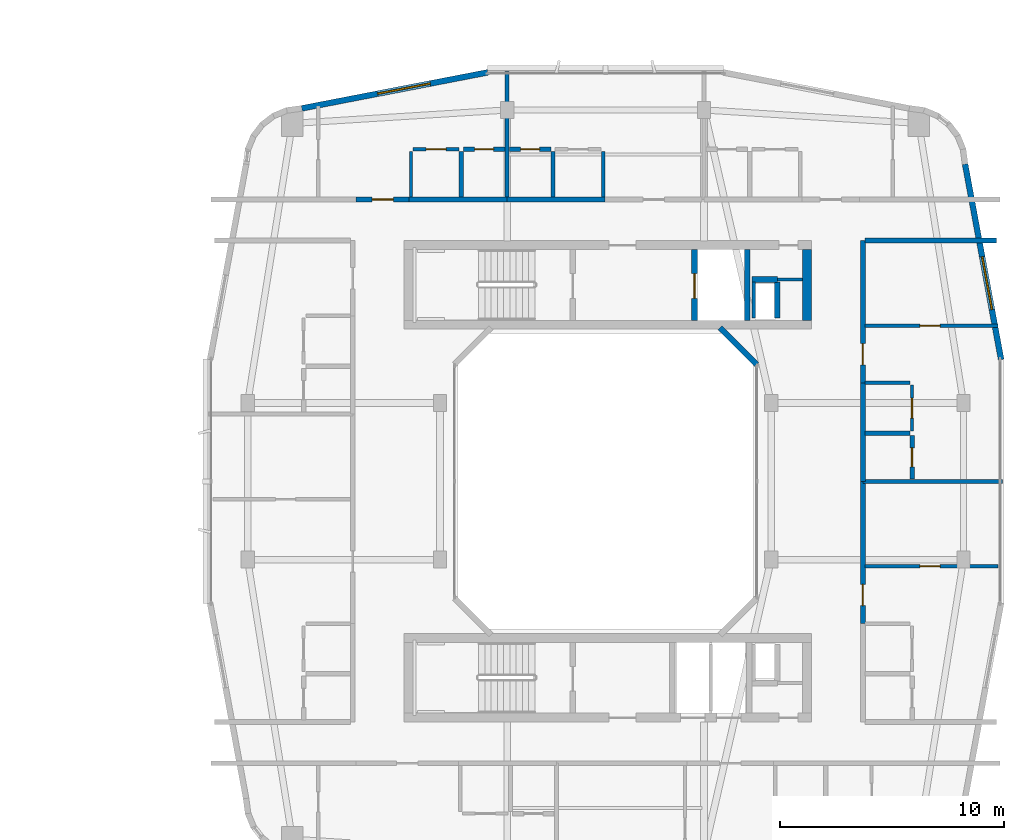
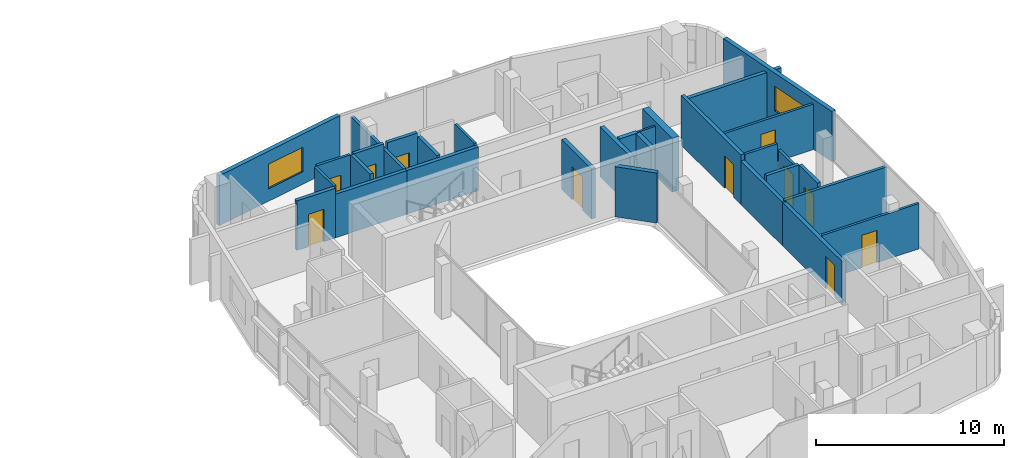
# One storey, part 19 of 26: 32 walls, 11 doors, 2 windows, 13 openings.
"""IFC4 building model written with IfcOpenShell, lengths in metres."""

from ifc_helpers import new_model, si_unit, derived_unit, direction, frame, frame_2d, origin, place, context, subcontext, project, spatial, rectangle, extrude, material, layer, layer_set, type_object, element, fill, save


model = new_model("IFC4")

# Units and contexts
model_context = context("Model", 3, precision=1e-05, world=origin(), true_north=direction((0.0, 1.0)))
body_context = subcontext(model_context, "Body", "Model", "MODEL_VIEW")
ifc_project = project(units=[si_unit("LENGTHUNIT", "METRE"), si_unit("AREAUNIT", "SQUARE_METRE"), si_unit("VOLUMEUNIT", "CUBIC_METRE"), si_unit("PLANEANGLEUNIT", "RADIAN"), si_unit("MASSUNIT", "GRAM", prefix="KILO"), derived_unit("THERMALTRANSMITTANCEUNIT", [(si_unit("POWERUNIT", "WATT"), 1), (si_unit("LENGTHUNIT", "METRE"), -2), (si_unit("THERMODYNAMICTEMPERATUREUNIT", "KELVIN"), -1)])], contexts=[model_context])

# Site, building, storey
site_placement = place(None, origin())
site = spatial("IfcSite", under=ifc_project, at=site_placement, CompositionType="ELEMENT")
building_placement = place(site_placement, origin())
building = spatial("IfcBuilding", under=site, at=building_placement, Name="Kivonza Crest Hotel", CompositionType="ELEMENT")
storey_placement = place(building_placement, frame((0.0, 0.0, 98.5)))
storey = spatial("IfcBuildingStorey", under=building, at=storey_placement, Name="L26", CompositionType="ELEMENT", Elevation=98.5)

# Walls
ifc_material_1 = material(Name="High-density acoustic masonry inter-tenancy wall", Category="masonry")
ifc_layer_1 = layer(ifc_material_1, 0.179931640625)
ifc_layer_set_1 = layer_set([ifc_layer_1], Name="High-density acoustic masonry inter-tenancy wall")
wall_type_1 = type_object("IfcWallType", Name="WL-ACOU-180", PredefinedType="SOLIDWALL", material=ifc_layer_set_1)
wall_1_placement = place(storey_placement, frame((72.60009765625, 37.60009765625, 0.0), z_axis=(0.0, 0.0, 1.0), x_axis=(0.0, 1.0, 0.0)))
element("IfcWall", 1, at=wall_1_placement, inside=storey, type_object=wall_type_1, Name="L26 interior partition WA-L26-T2N-DIV1", PredefinedType="SOLIDWALL", context=body_context, shape_type="SweptSolid", body=[
    extrude(rectangle(XDim=5.739990234375, YDim=0.179931640625, at=frame_2d((2.8701171875, 0.0))), origin(), (0.0, 0.0, 1.0), 2.824951171875),
])
wall_2_placement = place(storey_placement, frame((88.5, 25.0, 0.0), z_axis=(0.0, 0.0, 1.0), x_axis=(1.0, 0.0, 0.0)))
element("IfcWall", 2, at=wall_2_placement, inside=storey, type_object=wall_type_1, Name="L26 interior partition WA-L26-T2E-DIV1", PredefinedType="SOLIDWALL", context=body_context, shape_type="SweptSolid", body=[
    extrude(rectangle(XDim=6.239990234375, YDim=0.179931640625, at=frame_2d((3.1201171875, 0.0))), origin(), (0.0, 0.0, 1.0), 2.945068359375),
])
ifc_material_2 = material(Name="Autoclaved aerated concrete blockwork", Category="masonry")
ifc_layer_2 = layer(ifc_material_2, 0.219970703125)
ifc_layer_set_2 = layer_set([ifc_layer_2], Name="Autoclaved aerated concrete blockwork")
wall_type_2 = type_object("IfcWallType", Name="WL-ACOU-220", PredefinedType="SOLIDWALL", material=ifc_layer_set_2)
wall_3_placement = place(storey_placement, frame((68.219970703125, 37.60009765625, 0.0), z_axis=(0.0, 0.0, 1.0), x_axis=(1.0, 0.0, 0.0)))
element("IfcWall", 3, at=wall_3_placement, inside=storey, type_object=wall_type_2, Name="L26 interior partition WA-L26-A01-RCORR", PredefinedType="SOLIDWALL", context=body_context, shape_type="SweptSolid", body=[
    extrude(rectangle(XDim=4.380126953125, YDim=0.219970703125, at=frame_2d((2.18994140625, 0.0))), origin(), (0.0, 0.0, 1.0), 2.824951171875),
])

# Wall, opening, door
wall_4_placement = place(storey_placement, frame((65.85009765625, 37.60009765625, 0.0), z_axis=(0.0, 0.0, 1.0), x_axis=(1.0, 0.0, 0.0)))
wall_4 = element("IfcWall", 4, at=wall_4_placement, inside=storey, type_object=wall_type_2, Name="L26 interior partition WA-L26-A01-MCORR", PredefinedType="SOLIDWALL", context=body_context, shape_type="SweptSolid", body=[
    extrude(rectangle(XDim=2.369873046875, YDim=0.219970703125, at=frame_2d((1.18505859375, 0.0))), origin(), (0.0, 0.0, 1.0), 3.219970703125),
])
opening_1_placement = place(wall_4_placement, frame((0.7099609375, 0.0, 0.0)))
opening_1 = element("IfcOpeningElement", 5, at=opening_1_placement, cuts=wall_4, Name="Opening DU-60", PredefinedType="OPENING", context=body_context, shape_type="SweptSolid", body=[
    extrude(rectangle(XDim=0.949951171875, YDim=2.10009765625, at=frame_2d((0.47509765625, 1.050048828125))), frame((0.0, 0.1201171875, 0.0), z_axis=(0.0, -1.0, 0.0), x_axis=(1.0, 0.0, 0.0)), (0.0, 0.0, 1.0), 0.239990234375),
])
ifc_material_3 = material(Name="Hardwood timber oak", Category="wood")
door_type_1 = type_object("IfcDoorType", Name="DR-UNIT-950", OperationType="NOTDEFINED", PredefinedType="DOOR", material=ifc_material_3)
door_1_placement = place(opening_1_placement, origin())
door_1 = element("IfcDoor", 6, at=door_1_placement, inside=storey, type_object=door_type_1, Name="L26 A01 apartment entrance fire door", OperationType="SINGLE_SWING_LEFT", OverallHeight=2.10009765625, OverallWidth=0.949951171875, PredefinedType="DOOR", context=body_context, shape_type="SweptSolid", body=[
    extrude(rectangle(XDim=0.949951171875, YDim=2.10009765625, at=frame_2d((0.47509765625, 1.050048828125))), frame((0.0, 0.02490234375, 0.0), z_axis=(0.0, -1.0, 0.0), x_axis=(1.0, 0.0, 0.0)), (0.0, 0.0, 1.0), 0.050048828125),
])
fill(opening_1, door_1)

# Walls
wall_5_placement = place(storey_placement, frame((72.60009765625, 37.60009765625, 0.0), z_axis=(0.0, 0.0, 1.0), x_axis=(1.0, 0.0, 0.0)))
element("IfcWall", 7, at=wall_5_placement, inside=storey, type_object=wall_type_2, Name="L26 interior partition WA-L26-A02-LCORR", PredefinedType="SOLIDWALL", context=body_context, shape_type="SweptSolid", body=[
    extrude(rectangle(XDim=4.3798828125, YDim=0.219970703125, at=frame_2d((2.18994140625, 0.0))), origin(), (0.0, 0.0, 1.0), 2.824951171875),
])
wall_6_placement = place(storey_placement, frame((88.60009765625, 35.760009765625, 0.0), z_axis=(0.0, 0.0, 1.0), x_axis=(1.0, 0.0, 0.0)))
element("IfcWall", 8, at=wall_6_placement, inside=storey, type_object=wall_type_2, Name="L26 interior partition WA-L26-T2E-ENDN", PredefinedType="SOLIDWALL", context=body_context, shape_type="SweptSolid", body=[
    extrude(rectangle(XDim=5.8798828125, YDim=0.219970703125, at=frame_2d((2.93994140625, 0.0))), origin(), (0.0, 0.0, 1.0), 2.945068359375),
])

# Wall, opening, door
wall_7_placement = place(storey_placement, frame((88.5, 18.639892578125, 0.0), z_axis=(0.0, 0.0, 1.0), x_axis=(0.0, 1.0, 0.0)))
wall_7 = element("IfcWall", 9, at=wall_7_placement, inside=storey, type_object=wall_type_2, Name="L26 interior partition WA-L26-A08-MCORR", PredefinedType="SOLIDWALL", context=body_context, shape_type="SweptSolid", body=[
    extrude(rectangle(XDim=6.360107421875, YDim=0.219970703125, at=frame_2d((3.18017578125, 0.0))), origin(), (0.0, 0.0, 1.0), 2.824951171875),
])
opening_2_placement = place(wall_7_placement, frame((0.804931640625, 0.0, 0.0)))
opening_2 = element("IfcOpeningElement", 10, at=opening_2_placement, cuts=wall_7, Name="Opening DU-60", PredefinedType="OPENING", context=body_context, shape_type="SweptSolid", body=[
    extrude(rectangle(XDim=0.949951171875, YDim=2.10009765625, at=frame_2d((0.47509765625, 1.050048828125))), frame((0.0, 0.1201171875, 0.0), z_axis=(0.0, -1.0, 0.0), x_axis=(1.0, 0.0, 0.0)), (0.0, 0.0, 1.0), 0.239990234375),
])
door_2_placement = place(opening_2_placement, frame((0.949951171875, 0.0, 0.0), z_axis=(0.0, 0.0, 1.0), x_axis=(-1.0, 0.0, 0.0)))
door_2 = element("IfcDoor", 11, at=door_2_placement, inside=storey, type_object=door_type_1, Name="L26 A08 apartment entrance fire door", OperationType="SINGLE_SWING_RIGHT", OverallHeight=2.10009765625, OverallWidth=0.949951171875, PredefinedType="DOOR", context=body_context, shape_type="SweptSolid", body=[
    extrude(rectangle(XDim=0.949951171875, YDim=2.10009765625, at=frame_2d((0.47509765625, 1.050048828125))), frame((0.0, 0.02490234375, 0.0), z_axis=(0.0, -1.0, 0.0), x_axis=(1.0, 0.0, 0.0)), (0.0, 0.0, 1.0), 0.050048828125),
])
fill(opening_2, door_2)

# Wall
wall_8_placement = place(storey_placement, frame((88.5, 25.0, 0.0), z_axis=(0.0, 0.0, 1.0), x_axis=(0.0, 1.0, 0.0)))
element("IfcWall", 12, at=wall_8_placement, inside=storey, type_object=wall_type_2, Name="L26 interior partition WA-L26-A09-BCORR", PredefinedType="SOLIDWALL", context=body_context, shape_type="SweptSolid", body=[
    extrude(rectangle(XDim=4.39990234375, YDim=0.219970703125, at=frame_2d((2.199951171875, 0.0))), origin(), (0.0, 0.0, 1.0), 2.824951171875),
])

# Wall, opening, door
wall_9_placement = place(storey_placement, frame((88.5, 29.39990234375, 0.0), z_axis=(0.0, 0.0, 1.0), x_axis=(0.0, 1.0, 0.0)))
wall_9 = element("IfcWall", 13, at=wall_9_placement, inside=storey, type_object=wall_type_2, Name="L26 interior partition WA-L26-A09-MCORR", PredefinedType="SOLIDWALL", context=body_context, shape_type="SweptSolid", body=[
    extrude(rectangle(XDim=6.360107421875, YDim=0.219970703125, at=frame_2d((3.18017578125, 0.0))), origin(), (0.0, 0.0, 1.0), 3.219970703125),
])
opening_3_placement = place(wall_9_placement, frame((0.804931640625, 0.0, 0.0)))
opening_3 = element("IfcOpeningElement", 14, at=opening_3_placement, cuts=wall_9, Name="Opening DU-60", PredefinedType="OPENING", context=body_context, shape_type="SweptSolid", body=[
    extrude(rectangle(XDim=0.949951171875, YDim=2.10009765625, at=frame_2d((0.47509765625, 1.050048828125))), frame((0.0, 0.1201171875, 0.0), z_axis=(0.0, -1.0, 0.0), x_axis=(1.0, 0.0, 0.0)), (0.0, 0.0, 1.0), 0.239990234375),
])
door_3_placement = place(opening_3_placement, frame((0.949951171875, 0.0, 0.0), z_axis=(0.0, 0.0, 1.0), x_axis=(-1.0, 0.0, 0.0)))
door_3 = element("IfcDoor", 15, at=door_3_placement, inside=storey, type_object=door_type_1, Name="L26 A09 apartment entrance fire door", OperationType="SINGLE_SWING_LEFT", OverallHeight=2.10009765625, OverallWidth=0.949951171875, PredefinedType="DOOR", context=body_context, shape_type="SweptSolid", body=[
    extrude(rectangle(XDim=0.949951171875, YDim=2.10009765625, at=frame_2d((0.47509765625, 1.050048828125))), frame((0.0, 0.02490234375, 0.0), z_axis=(0.0, -1.0, 0.0), x_axis=(1.0, 0.0, 0.0)), (0.0, 0.0, 1.0), 0.050048828125),
])
fill(opening_3, door_3)

# Wall
ifc_material_4 = material(Name="Concrete C50/60", Category="concrete")
ifc_layer_3 = layer(ifc_material_4, 0.39990234375)
ifc_layer_set_3 = layer_set([ifc_layer_3], Name="Concrete C50/60")
wall_type_3 = type_object("IfcWallType", Name="WL-CORE-400", PredefinedType="SHEAR", material=ifc_layer_set_3)
wall_10_placement = place(storey_placement, frame((86.0, 32.199951171875, 0.0), z_axis=(0.0, 0.0, 1.0), x_axis=(0.0, 1.0, 0.0)))
element("IfcWall", 16, at=wall_10_placement, inside=storey, type_object=wall_type_3, Name="Core wall T2-N East L26", PredefinedType="SHEAR", context=body_context, shape_type="SweptSolid", body=[
    extrude(rectangle(XDim=3.16015625, YDim=0.39990234375, at=frame_2d((1.580078125, 0.0))), origin(), (0.0, 0.0, 1.0), 3.5),
])

# Wall, opening, window
ifc_material_5 = material(Name="Precast concrete C40/50", Category="concrete")
ifc_layer_4 = layer(ifc_material_5, 0.260009765625)
ifc_layer_set_4 = layer_set([ifc_layer_4], Name="Precast concrete C40/50")
wall_type_4 = type_object("IfcWallType", Name="WL-EXT-260", PredefinedType="STANDARD", material=ifc_layer_set_4)
wall_11_placement = place(storey_placement, frame((94.681884765625, 30.44189453125, 0.0), z_axis=(0.0, 0.0, 1.0), x_axis=(-0.181209963057, 0.983444431215, 0.0)))
wall_11 = element("IfcWall", 17, at=wall_11_placement, inside=storey, type_object=wall_type_4, Name="L26 T2 exterior insulated wall 18", PredefinedType="STANDARD", context=body_context, shape_type="SweptSolid", body=[
    extrude(rectangle(XDim=8.889404296875, YDim=0.260009765625, at=frame_2d((4.44482421875, 0.0))), origin(), (0.0, 0.0, 1.0), 3.25),
])
opening_4_placement = place(wall_11_placement, frame((2.27587890625, 0.0, 0.800048828125)))
opening_4 = element("IfcOpeningElement", 18, at=opening_4_placement, cuts=wall_11, Name="Opening WN-05", PredefinedType="OPENING", context=body_context, shape_type="SweptSolid", body=[
    extrude(rectangle(XDim=2.39990234375, YDim=1.60009765625, at=frame_2d((1.199951171875, 0.800048828125))), frame((0.0, 0.14013671875, 0.0), z_axis=(0.0, -1.0, 0.0), x_axis=(1.0, 0.0, 0.0)), (0.0, 0.0, 1.0), 0.280029296875),
])
ifc_material_6 = material(Name="Thermally broken bronze aluminium and low-E double glazing", Category="aluminium")
window_type = type_object("IfcWindowType", Name="WN-240x160", PartitioningType="TRIPLE_PANEL_VERTICAL", PredefinedType="WINDOW", material=ifc_material_6)
window_1_placement = place(opening_4_placement, origin())
window_1 = element("IfcWindow", 19, at=window_1_placement, inside=storey, type_object=window_type, Name="L26 T2 facade window 18", OverallHeight=1.60009765625, OverallWidth=2.39990234375, PartitioningType="SINGLE_PANEL", PredefinedType="WINDOW", context=body_context, shape_type="SweptSolid", body=[
    extrude(rectangle(XDim=2.39990234375, YDim=1.60009765625, at=frame_2d((1.199951171875, 0.800048828125))), frame((0.0, 0.030029296875, 0.0), z_axis=(0.0, -1.0, 0.0), x_axis=(1.0, 0.0, 0.0)), (0.0, 0.0, 1.0), 0.06005859375),
])
fill(opening_4, window_1)

wall_12_placement = place(storey_placement, frame((71.739013671875, 43.281982421875, 0.0), z_axis=(0.0, 0.0, 1.0), x_axis=(-0.981750199588, -0.190175039396, 0.0)))
wall_12 = element("IfcWall", 20, at=wall_12_placement, inside=storey, type_object=wall_type_4, Name="L26 T2 exterior insulated wall 27", PredefinedType="STANDARD", context=body_context, shape_type="SweptSolid", body=[
    extrude(rectangle(XDim=8.476806640625, YDim=0.260009765625, at=frame_2d((4.23828125, 0.0))), origin(), (0.0, 0.0, 1.0), 3.25),
])
opening_5_placement = place(wall_12_placement, frame((2.623046875, 0.0, 0.800048828125)))
opening_5 = element("IfcOpeningElement", 21, at=opening_5_placement, cuts=wall_12, Name="Opening WN-05", PredefinedType="OPENING", context=body_context, shape_type="SweptSolid", body=[
    extrude(rectangle(XDim=2.39990234375, YDim=1.60009765625, at=frame_2d((1.199951171875, 0.800048828125))), frame((0.0, 0.14013671875, 0.0), z_axis=(0.0, -1.0, 0.0), x_axis=(1.0, 0.0, 0.0)), (0.0, 0.0, 1.0), 0.280029296875),
])
window_2_placement = place(opening_5_placement, origin())
window_2 = element("IfcWindow", 22, at=window_2_placement, inside=storey, type_object=window_type, Name="L26 T2 facade window 27", OverallHeight=1.60009765625, OverallWidth=2.39990234375, PartitioningType="SINGLE_PANEL", PredefinedType="WINDOW", context=body_context, shape_type="SweptSolid", body=[
    extrude(rectangle(XDim=2.39990234375, YDim=1.60009765625, at=frame_2d((1.199951171875, 0.800048828125))), frame((0.0, 0.030029296875, 0.0), z_axis=(0.0, -1.0, 0.0), x_axis=(1.0, 0.0, 0.0)), (0.0, 0.0, 1.0), 0.06005859375),
])
fill(opening_5, window_2)

# Walls
wall_13_placement = place(storey_placement, frame((83.756103515625, 30.22802734375, 0.0), z_axis=(0.0, 0.0, 1.0), x_axis=(-0.707106781187, 0.707106781187, 0.0)))
element("IfcWall", 23, at=wall_13_placement, inside=storey, type_object=wall_type_4, Name="L26 T2 light-well exterior wall 4", PredefinedType="STANDARD", context=body_context, shape_type="SweptSolid", body=[
    extrude(rectangle(XDim=2.310791015625, YDim=0.260009765625, at=frame_2d((1.1552734375, 0.0))), origin(), (0.0, 0.0, 1.0), 3.25),
])
ifc_material_7 = material(Name="Concrete blockwork fire-compartment wall", Category="masonry")
ifc_layer_5 = layer(ifc_material_7, 0.25)
ifc_layer_set_5 = layer_set([ifc_layer_5], Name="Concrete blockwork fire-compartment wall")
wall_type_5 = type_object("IfcWallType", Name="WL-FIRE-250", PredefinedType="SOLIDWALL", material=ifc_layer_set_5)
wall_14_placement = place(storey_placement, frame((84.679931640625, 32.300048828125, 0.0), z_axis=(0.0, 0.0, 1.0), x_axis=(0.0, 1.0, 0.0)))
element("IfcWall", 24, at=wall_14_placement, inside=storey, type_object=wall_type_5, Name="L26 interior partition WA-L26-T2-N-MEPR-E", PredefinedType="SOLIDWALL", context=body_context, shape_type="SweptSolid", body=[
    extrude(rectangle(XDim=1.619873046875, YDim=0.25, at=frame_2d((0.81005859375, 0.0))), origin(), (0.0, 0.0, 1.0), 3.219970703125),
])
wall_15_placement = place(storey_placement, frame((83.550048828125, 34.02001953125, 0.0), z_axis=(0.0, 0.0, 1.0), x_axis=(1.0, 0.0, 0.0)))
element("IfcWall", 25, at=wall_15_placement, inside=storey, type_object=wall_type_5, Name="L26 interior partition WA-L26-T2-N-MEPR-H", PredefinedType="SOLIDWALL", context=body_context, shape_type="SweptSolid", body=[
    extrude(rectangle(XDim=1.1298828125, YDim=0.25, at=frame_2d((0.56494140625, 0.0))), origin(), (0.0, 0.0, 1.0), 3.219970703125),
])
ifc_material_8 = material(Name="Metal-stud gypsum board partition", Category="gypsum")
ifc_layer_6 = layer(ifc_material_8, 0.125)
ifc_layer_set_6 = layer_set([ifc_layer_6], Name="Metal-stud gypsum board partition")
wall_type_6 = type_object("IfcWallType", Name="WL-PART-125", PredefinedType="PARTITIONING", material=ifc_layer_set_6)
wall_16_placement = place(storey_placement, frame((84.679931640625, 34.02001953125, 0.0), z_axis=(0.0, 0.0, 1.0), x_axis=(1.0, 0.0, 0.0)))
element("IfcWall", 26, at=wall_16_placement, inside=storey, type_object=wall_type_6, Name="L26 interior partition WP-L26-T2-N-T2H", PredefinedType="PARTITIONING", context=body_context, shape_type="SweptSolid", body=[
    extrude(rectangle(XDim=1.1201171875, YDim=0.125, at=frame_2d((0.56005859375, 0.0))), origin(), (0.0, 0.0, 1.0), 3.219970703125),
])
ifc_material_9 = material(Name="Twin-stud acoustic gypsum board partition", Category="gypsum")
ifc_layer_7 = layer(ifc_material_9, 0.14990234375)
ifc_layer_set_7 = layer_set([ifc_layer_7], Name="Twin-stud acoustic gypsum board partition")
wall_type_7 = type_object("IfcWallType", Name="WL-PART-150", PredefinedType="PARTITIONING", material=ifc_layer_set_7)
wall_17_placement = place(storey_placement, frame((83.6298828125, 32.300048828125, 0.0), z_axis=(0.0, 0.0, 1.0), x_axis=(0.0, 1.0, 0.0)))
element("IfcWall", 27, at=wall_17_placement, inside=storey, type_object=wall_type_7, Name="L26 interior partition WA-L26-T2-N-MEPR-W", PredefinedType="PARTITIONING", context=body_context, shape_type="SweptSolid", body=[
    extrude(rectangle(XDim=1.619873046875, YDim=0.14990234375, at=frame_2d((0.81005859375, 0.0))), origin(), (0.0, 0.0, 1.0), 2.824951171875),
])
wall_18_placement = place(storey_placement, frame((68.300048828125, 37.699951171875, 0.0), z_axis=(0.0, 0.0, 1.0), x_axis=(0.0, 1.0, 0.0)))
element("IfcWall", 28, at=wall_18_placement, inside=storey, type_object=wall_type_7, Name="L26 interior partition WP-L26-A01-KF", PredefinedType="PARTITIONING", context=body_context, shape_type="SweptSolid", body=[
    extrude(rectangle(XDim=2.050048828125, YDim=0.14990234375, at=frame_2d((1.02490234375, 0.0))), origin(), (0.0, 0.0, 1.0), 3.219970703125),
])

# Wall, opening, door
wall_19_placement = place(storey_placement, frame((68.39990234375, 39.85009765625, 0.0), z_axis=(0.0, 0.0, 1.0), x_axis=(1.0, 0.0, 0.0)))
wall_19 = element("IfcWall", 29, at=wall_19_placement, inside=storey, type_object=wall_type_7, Name="L26 interior partition WP-L26-A01-KSVC", PredefinedType="PARTITIONING", context=body_context, shape_type="SweptSolid", body=[
    extrude(rectangle(XDim=2.050048828125, YDim=0.14990234375, at=frame_2d((1.02490234375, 0.0))), origin(), (0.0, 0.0, 1.0), 3.219970703125),
])
opening_6_placement = place(wall_19_placement, frame((0.574951171875, 0.0, 0.0)))
opening_6 = element("IfcOpeningElement", 30, at=opening_6_placement, cuts=wall_19, Name="Opening DI-90", PredefinedType="OPENING", context=body_context, shape_type="SweptSolid", body=[
    extrude(rectangle(XDim=0.89990234375, YDim=2.10009765625, at=frame_2d((0.449951171875, 1.050048828125))), frame((0.0, 0.0849609375, 0.0), z_axis=(0.0, -1.0, 0.0), x_axis=(1.0, 0.0, 0.0)), (0.0, 0.0, 1.0), 0.169921875),
])
door_type_2 = type_object("IfcDoorType", Name="DR-INT-900", OperationType="NOTDEFINED", PredefinedType="DOOR", material=ifc_material_3)
door_4_placement = place(opening_6_placement, origin())
door_4 = element("IfcDoor", 31, at=door_4_placement, inside=storey, type_object=door_type_2, Name="L26 A01 apartment kitchen door", OperationType="SINGLE_SWING_LEFT", OverallHeight=2.10009765625, OverallWidth=0.89990234375, PredefinedType="DOOR", context=body_context, shape_type="SweptSolid", body=[
    extrude(rectangle(XDim=0.89990234375, YDim=2.10009765625, at=frame_2d((0.449951171875, 1.050048828125))), frame((0.0, 0.02490234375, 0.0), z_axis=(0.0, -1.0, 0.0), x_axis=(1.0, 0.0, 0.0)), (0.0, 0.0, 1.0), 0.050048828125),
])
fill(opening_6, door_4)

# Wall
wall_20_placement = place(storey_placement, frame((76.89990234375, 37.699951171875, 0.0), z_axis=(0.0, 0.0, 1.0), x_axis=(0.0, 1.0, 0.0)))
element("IfcWall", 32, at=wall_20_placement, inside=storey, type_object=wall_type_7, Name="L26 interior partition WP-L26-A02-KF", PredefinedType="PARTITIONING", context=body_context, shape_type="SweptSolid", body=[
    extrude(rectangle(XDim=2.050048828125, YDim=0.14990234375, at=frame_2d((1.02490234375, 0.0))), origin(), (0.0, 0.0, 1.0), 2.985107421875),
])

# Wall, opening, door
wall_21_placement = place(storey_placement, frame((88.60009765625, 21.199951171875, 0.0), z_axis=(0.0, 0.0, 1.0), x_axis=(1.0, 0.0, 0.0)))
wall_21 = element("IfcWall", 33, at=wall_21_placement, inside=storey, type_object=wall_type_7, Name="L26 interior partition WP-L26-A08-BD1", PredefinedType="PARTITIONING", context=body_context, shape_type="SweptSolid", body=[
    extrude(rectangle(XDim=5.93994140625, YDim=0.14990234375, at=frame_2d((2.969970703125, 0.0))), origin(), (0.0, 0.0, 1.0), 2.945068359375),
])
opening_7_placement = place(wall_21_placement, frame((2.449951171875, 0.0, 0.0)))
opening_7 = element("IfcOpeningElement", 34, at=opening_7_placement, cuts=wall_21, Name="Opening DI-90", PredefinedType="OPENING", context=body_context, shape_type="SweptSolid", body=[
    extrude(rectangle(XDim=0.89990234375, YDim=2.10009765625, at=frame_2d((0.449951171875, 1.050048828125))), frame((0.0, 0.0849609375, 0.0), z_axis=(0.0, -1.0, 0.0), x_axis=(1.0, 0.0, 0.0)), (0.0, 0.0, 1.0), 0.169921875),
])
door_5_placement = place(opening_7_placement, origin())
door_5 = element("IfcDoor", 35, at=door_5_placement, inside=storey, type_object=door_type_2, Name="L26 A08 bedroom door", OperationType="SINGLE_SWING_LEFT", OverallHeight=2.10009765625, OverallWidth=0.89990234375, PredefinedType="DOOR", context=body_context, shape_type="SweptSolid", body=[
    extrude(rectangle(XDim=0.89990234375, YDim=2.10009765625, at=frame_2d((0.449951171875, 1.050048828125))), frame((0.0, 0.02490234375, 0.0), z_axis=(0.0, -1.0, 0.0), x_axis=(1.0, 0.0, 0.0)), (0.0, 0.0, 1.0), 0.050048828125),
])
fill(opening_7, door_5)

wall_22_placement = place(storey_placement, frame((88.60009765625, 31.9599609375, 0.0), z_axis=(0.0, 0.0, 1.0), x_axis=(1.0, 0.0, 0.0)))
wall_22 = element("IfcWall", 36, at=wall_22_placement, inside=storey, type_object=wall_type_7, Name="L26 interior partition WP-L26-A09-BD1", PredefinedType="PARTITIONING", context=body_context, shape_type="SweptSolid", body=[
    extrude(rectangle(XDim=5.93994140625, YDim=0.14990234375, at=frame_2d((2.969970703125, 0.0))), origin(), (0.0, 0.0, 1.0), 2.945068359375),
])
opening_8_placement = place(wall_22_placement, frame((2.449951171875, 0.0, 0.0)))
opening_8 = element("IfcOpeningElement", 37, at=opening_8_placement, cuts=wall_22, Name="Opening DI-90", PredefinedType="OPENING", context=body_context, shape_type="SweptSolid", body=[
    extrude(rectangle(XDim=0.89990234375, YDim=2.10009765625, at=frame_2d((0.449951171875, 1.050048828125))), frame((0.0, 0.0849609375, 0.0), z_axis=(0.0, -1.0, 0.0), x_axis=(1.0, 0.0, 0.0)), (0.0, 0.0, 1.0), 0.169921875),
])
door_6_placement = place(opening_8_placement, origin())
door_6 = element("IfcDoor", 38, at=door_6_placement, inside=storey, type_object=door_type_2, Name="L26 A09 bedroom door", OperationType="SINGLE_SWING_RIGHT", OverallHeight=2.10009765625, OverallWidth=0.89990234375, PredefinedType="DOOR", context=body_context, shape_type="SweptSolid", body=[
    extrude(rectangle(XDim=0.89990234375, YDim=2.10009765625, at=frame_2d((0.449951171875, 1.050048828125))), frame((0.0, 0.02490234375, 0.0), z_axis=(0.0, -1.0, 0.0), x_axis=(1.0, 0.0, 0.0)), (0.0, 0.0, 1.0), 0.050048828125),
])
fill(opening_8, door_6)

# Wall
wall_23_placement = place(storey_placement, frame((88.60009765625, 29.39990234375, 0.0), z_axis=(0.0, 0.0, 1.0), x_axis=(1.0, 0.0, 0.0)))
element("IfcWall", 39, at=wall_23_placement, inside=storey, type_object=wall_type_7, Name="L26 interior partition WP-L26-A09-KF", PredefinedType="PARTITIONING", context=body_context, shape_type="SweptSolid", body=[
    extrude(rectangle(XDim=2.0, YDim=0.14990234375, at=frame_2d((1.0, 0.0))), origin(), (0.0, 0.0, 1.0), 3.219970703125),
])

# Wall, opening, door
wall_24_placement = place(storey_placement, frame((90.699951171875, 27.25, 0.0), z_axis=(0.0, 0.0, 1.0), x_axis=(0.0, 1.0, 0.0)))
wall_24 = element("IfcWall", 40, at=wall_24_placement, inside=storey, type_object=wall_type_7, Name="L26 interior partition WP-L26-A09-KSVC", PredefinedType="PARTITIONING", context=body_context, shape_type="SweptSolid", body=[
    extrude(rectangle(XDim=2.050048828125, YDim=0.14990234375, at=frame_2d((1.02490234375, 0.0))), origin(), (0.0, 0.0, 1.0), 2.824951171875),
])
opening_9_placement = place(wall_24_placement, frame((0.574951171875, 0.0, 0.0)))
opening_9 = element("IfcOpeningElement", 41, at=opening_9_placement, cuts=wall_24, Name="Opening DI-90", PredefinedType="OPENING", context=body_context, shape_type="SweptSolid", body=[
    extrude(rectangle(XDim=0.89990234375, YDim=2.10009765625, at=frame_2d((0.449951171875, 1.050048828125))), frame((0.0, 0.0849609375, 0.0), z_axis=(0.0, -1.0, 0.0), x_axis=(1.0, 0.0, 0.0)), (0.0, 0.0, 1.0), 0.169921875),
])
door_7_placement = place(opening_9_placement, frame((0.89990234375, 0.0, 0.0), z_axis=(0.0, 0.0, 1.0), x_axis=(-1.0, 0.0, 0.0)))
door_7 = element("IfcDoor", 42, at=door_7_placement, inside=storey, type_object=door_type_2, Name="L26 A09 apartment kitchen door", OperationType="SINGLE_SWING_LEFT", OverallHeight=2.10009765625, OverallWidth=0.89990234375, PredefinedType="DOOR", context=body_context, shape_type="SweptSolid", body=[
    extrude(rectangle(XDim=0.89990234375, YDim=2.10009765625, at=frame_2d((0.449951171875, 1.050048828125))), frame((0.0, 0.02490234375, 0.0), z_axis=(0.0, -1.0, 0.0), x_axis=(1.0, 0.0, 0.0)), (0.0, 0.0, 1.0), 0.050048828125),
])
fill(opening_9, door_7)

# Wall
ifc_material_10 = material(Name="Moisture-resistant plumbing chase partition wall", Category="gypsum")
ifc_layer_8 = layer(ifc_material_10, 0.199951171875)
ifc_layer_set_8 = layer_set([ifc_layer_8], Name="Moisture-resistant plumbing chase partition wall")
wall_type_8 = type_object("IfcWallType", Name="WL-PLUMB-200", PredefinedType="PLUMBINGWALL", material=ifc_layer_set_8)
wall_25_placement = place(storey_placement, frame((70.550048828125, 37.699951171875, 0.0), z_axis=(0.0, 0.0, 1.0), x_axis=(0.0, 1.0, 0.0)))
element("IfcWall", 43, at=wall_25_placement, inside=storey, type_object=wall_type_8, Name="L26 interior partition WW-L26-A01-BK", PredefinedType="PLUMBINGWALL", context=body_context, shape_type="SweptSolid", body=[
    extrude(rectangle(XDim=2.050048828125, YDim=0.199951171875, at=frame_2d((1.02490234375, 0.0))), origin(), (0.0, 0.0, 1.0), 3.219970703125),
])

# Wall, opening, door
wall_26_placement = place(storey_placement, frame((70.64990234375, 39.85009765625, 0.0), z_axis=(0.0, 0.0, 1.0), x_axis=(1.0, 0.0, 0.0)))
wall_26 = element("IfcWall", 44, at=wall_26_placement, inside=storey, type_object=wall_type_8, Name="L26 interior partition WW-L26-A01-BSVC", PredefinedType="PLUMBINGWALL", context=body_context, shape_type="SweptSolid", body=[
    extrude(rectangle(XDim=1.85009765625, YDim=0.199951171875, at=frame_2d((0.925048828125, 0.0))), origin(), (0.0, 0.0, 1.0), 3.219970703125),
])
opening_10_placement = place(wall_26_placement, frame((0.5, 0.0, 0.0)))
opening_10 = element("IfcOpeningElement", 45, at=opening_10_placement, cuts=wall_26, Name="Opening DI-85", PredefinedType="OPENING", context=body_context, shape_type="SweptSolid", body=[
    extrude(rectangle(XDim=0.85009765625, YDim=2.10009765625, at=frame_2d((0.425048828125, 1.050048828125))), frame((0.0, 0.10986328125, 0.0), z_axis=(0.0, -1.0, 0.0), x_axis=(1.0, 0.0, 0.0)), (0.0, 0.0, 1.0), 0.219970703125),
])
door_type_3 = type_object("IfcDoorType", Name="DR-INT-850", OperationType="NOTDEFINED", PredefinedType="DOOR", material=ifc_material_3)
door_8_placement = place(opening_10_placement, origin())
door_8 = element("IfcDoor", 46, at=door_8_placement, inside=storey, type_object=door_type_3, Name="L26 A01 apartment bathroom door", OperationType="SINGLE_SWING_RIGHT", OverallHeight=2.10009765625, OverallWidth=0.85009765625, PredefinedType="DOOR", context=body_context, shape_type="SweptSolid", body=[
    extrude(rectangle(XDim=0.85009765625, YDim=2.10009765625, at=frame_2d((0.425048828125, 1.050048828125))), frame((0.0, 0.02490234375, 0.0), z_axis=(0.0, -1.0, 0.0), x_axis=(1.0, 0.0, 0.0)), (0.0, 0.0, 1.0), 0.050048828125),
])
fill(opening_10, door_8)

# Wall
wall_27_placement = place(storey_placement, frame((74.64990234375, 37.699951171875, 0.0), z_axis=(0.0, 0.0, 1.0), x_axis=(0.0, 1.0, 0.0)))
element("IfcWall", 47, at=wall_27_placement, inside=storey, type_object=wall_type_8, Name="L26 interior partition WW-L26-A02-BK", PredefinedType="PLUMBINGWALL", context=body_context, shape_type="SweptSolid", body=[
    extrude(rectangle(XDim=2.050048828125, YDim=0.199951171875, at=frame_2d((1.02490234375, 0.0))), origin(), (0.0, 0.0, 1.0), 2.985107421875),
])

# Wall, opening, door
wall_28_placement = place(storey_placement, frame((72.699951171875, 39.85009765625, 0.0), z_axis=(0.0, 0.0, 1.0), x_axis=(1.0, 0.0, 0.0)))
wall_28 = element("IfcWall", 48, at=wall_28_placement, inside=storey, type_object=wall_type_8, Name="L26 interior partition WW-L26-A02-BSVC", PredefinedType="PLUMBINGWALL", context=body_context, shape_type="SweptSolid", body=[
    extrude(rectangle(XDim=1.85009765625, YDim=0.199951171875, at=frame_2d((0.925048828125, 0.0))), origin(), (0.0, 0.0, 1.0), 3.219970703125),
])
opening_11_placement = place(wall_28_placement, frame((0.5, 0.0, 0.0)))
opening_11 = element("IfcOpeningElement", 49, at=opening_11_placement, cuts=wall_28, Name="Opening DI-85", PredefinedType="OPENING", context=body_context, shape_type="SweptSolid", body=[
    extrude(rectangle(XDim=0.85009765625, YDim=2.10009765625, at=frame_2d((0.425048828125, 1.050048828125))), frame((0.0, 0.10986328125, 0.0), z_axis=(0.0, -1.0, 0.0), x_axis=(1.0, 0.0, 0.0)), (0.0, 0.0, 1.0), 0.219970703125),
])
door_9_placement = place(opening_11_placement, origin())
door_9 = element("IfcDoor", 50, at=door_9_placement, inside=storey, type_object=door_type_3, Name="L26 A02 apartment bathroom door", OperationType="SINGLE_SWING_LEFT", OverallHeight=2.10009765625, OverallWidth=0.85009765625, PredefinedType="DOOR", context=body_context, shape_type="SweptSolid", body=[
    extrude(rectangle(XDim=0.85009765625, YDim=2.10009765625, at=frame_2d((0.425048828125, 1.050048828125))), frame((0.0, 0.02490234375, 0.0), z_axis=(0.0, -1.0, 0.0), x_axis=(1.0, 0.0, 0.0)), (0.0, 0.0, 1.0), 0.050048828125),
])
fill(opening_11, door_9)

# Wall
wall_29_placement = place(storey_placement, frame((88.60009765625, 27.14990234375, 0.0), z_axis=(0.0, 0.0, 1.0), x_axis=(1.0, 0.0, 0.0)))
element("IfcWall", 51, at=wall_29_placement, inside=storey, type_object=wall_type_8, Name="L26 interior partition WW-L26-A09-BK", PredefinedType="PLUMBINGWALL", context=body_context, shape_type="SweptSolid", body=[
    extrude(rectangle(XDim=2.0, YDim=0.199951171875, at=frame_2d((1.0, 0.0))), origin(), (0.0, 0.0, 1.0), 3.219970703125),
])

# Wall, opening, door
wall_30_placement = place(storey_placement, frame((90.699951171875, 25.10009765625, 0.0), z_axis=(0.0, 0.0, 1.0), x_axis=(0.0, 1.0, 0.0)))
wall_30 = element("IfcWall", 52, at=wall_30_placement, inside=storey, type_object=wall_type_8, Name="L26 interior partition WW-L26-A09-BSVC", PredefinedType="PLUMBINGWALL", context=body_context, shape_type="SweptSolid", body=[
    extrude(rectangle(XDim=1.949951171875, YDim=0.199951171875, at=frame_2d((0.97509765625, 0.0))), origin(), (0.0, 0.0, 1.0), 3.219970703125),
])
opening_12_placement = place(wall_30_placement, frame((0.550048828125, 0.0, 0.0)))
opening_12 = element("IfcOpeningElement", 53, at=opening_12_placement, cuts=wall_30, Name="Opening DI-85", PredefinedType="OPENING", context=body_context, shape_type="SweptSolid", body=[
    extrude(rectangle(XDim=0.85009765625, YDim=2.10009765625, at=frame_2d((0.425048828125, 1.050048828125))), frame((0.0, 0.10986328125, 0.0), z_axis=(0.0, -1.0, 0.0), x_axis=(1.0, 0.0, 0.0)), (0.0, 0.0, 1.0), 0.219970703125),
])
door_10_placement = place(opening_12_placement, frame((0.85009765625, 0.0, 0.0), z_axis=(0.0, 0.0, 1.0), x_axis=(-1.0, 0.0, 0.0)))
door_10 = element("IfcDoor", 54, at=door_10_placement, inside=storey, type_object=door_type_3, Name="L26 A09 apartment bathroom door", OperationType="SINGLE_SWING_RIGHT", OverallHeight=2.10009765625, OverallWidth=0.85009765625, PredefinedType="DOOR", context=body_context, shape_type="SweptSolid", body=[
    extrude(rectangle(XDim=0.85009765625, YDim=2.10009765625, at=frame_2d((0.425048828125, 1.050048828125))), frame((0.0, 0.02490234375, 0.0), z_axis=(0.0, -1.0, 0.0), x_axis=(1.0, 0.0, 0.0)), (0.0, 0.0, 1.0), 0.050048828125),
])
fill(opening_12, door_10)

ifc_layer_9 = layer(ifc_material_4, 0.25)
ifc_layer_set_9 = layer_set([ifc_layer_9], Name="Concrete C50/60")
wall_type_9 = type_object("IfcWallType", Name="WL-SHAFT-250", PredefinedType="STANDARD", material=ifc_layer_set_9)
wall_31_placement = place(storey_placement, frame((80.97509765625, 32.199951171875, 0.0), z_axis=(0.0, 0.0, 1.0), x_axis=(0.0, 1.0, 0.0)))
wall_31 = element("IfcWall", 55, at=wall_31_placement, inside=storey, type_object=wall_type_9, Name="Core shaft wall T2-N FFL-W L26", PredefinedType="STANDARD", context=body_context, shape_type="SweptSolid", body=[
    extrude(rectangle(XDim=3.16015625, YDim=0.25, at=frame_2d((1.580078125, 0.0))), origin(), (0.0, 0.0, 1.0), 3.25),
])
opening_13_placement = place(wall_31_placement, frame((0.97998046875, 0.0, 0.0)))
opening_13 = element("IfcOpeningElement", 56, at=opening_13_placement, cuts=wall_31, Name="Opening LD-120", PredefinedType="OPENING", context=body_context, shape_type="SweptSolid", body=[
    extrude(rectangle(XDim=1.10009765625, YDim=2.14990234375, at=frame_2d((0.550048828125, 1.074951171875))), frame((0.0, 0.135009765625, 0.0), z_axis=(0.0, -1.0, 0.0), x_axis=(1.0, 0.0, 0.0)), (0.0, 0.0, 1.0), 0.27001953125),
])
ifc_material_11 = material(Name="Stainless steel", Category="steel")
door_type_4 = type_object("IfcDoorType", Name="DR-LD120-1100", OperationType="NOTDEFINED", PredefinedType="DOOR", material=ifc_material_11)
door_11_placement = place(opening_13_placement, origin())
door_11 = element("IfcDoor", 57, at=door_11_placement, inside=storey, type_object=door_type_4, Name="L26 FFL-T2 firefighting lift sliding landing door", OperationType="DOUBLE_DOOR_SLIDING", OverallHeight=2.14990234375, OverallWidth=1.10009765625, PredefinedType="DOOR", context=body_context, shape_type="SweptSolid", body=[
    extrude(rectangle(XDim=1.10009765625, YDim=2.14990234375, at=frame_2d((0.550048828125, 1.074951171875))), frame((0.0, 0.02490234375, 0.0), z_axis=(0.0, -1.0, 0.0), x_axis=(1.0, 0.0, 0.0)), (0.0, 0.0, 1.0), 0.050048828125),
])
fill(opening_13, door_11)

# Wall
wall_32_placement = place(storey_placement, frame((83.324951171875, 32.199951171875, 0.0), z_axis=(0.0, 0.0, 1.0), x_axis=(0.0, 1.0, 0.0)))
element("IfcWall", 58, at=wall_32_placement, inside=storey, type_object=wall_type_9, Name="Core shaft wall T2-N FFL-E L26", PredefinedType="STANDARD", context=body_context, shape_type="SweptSolid", body=[
    extrude(rectangle(XDim=3.16015625, YDim=0.25, at=frame_2d((1.580078125, 0.0))), origin(), (0.0, 0.0, 1.0), 3.25),
])

save(model, "model.ifc")
